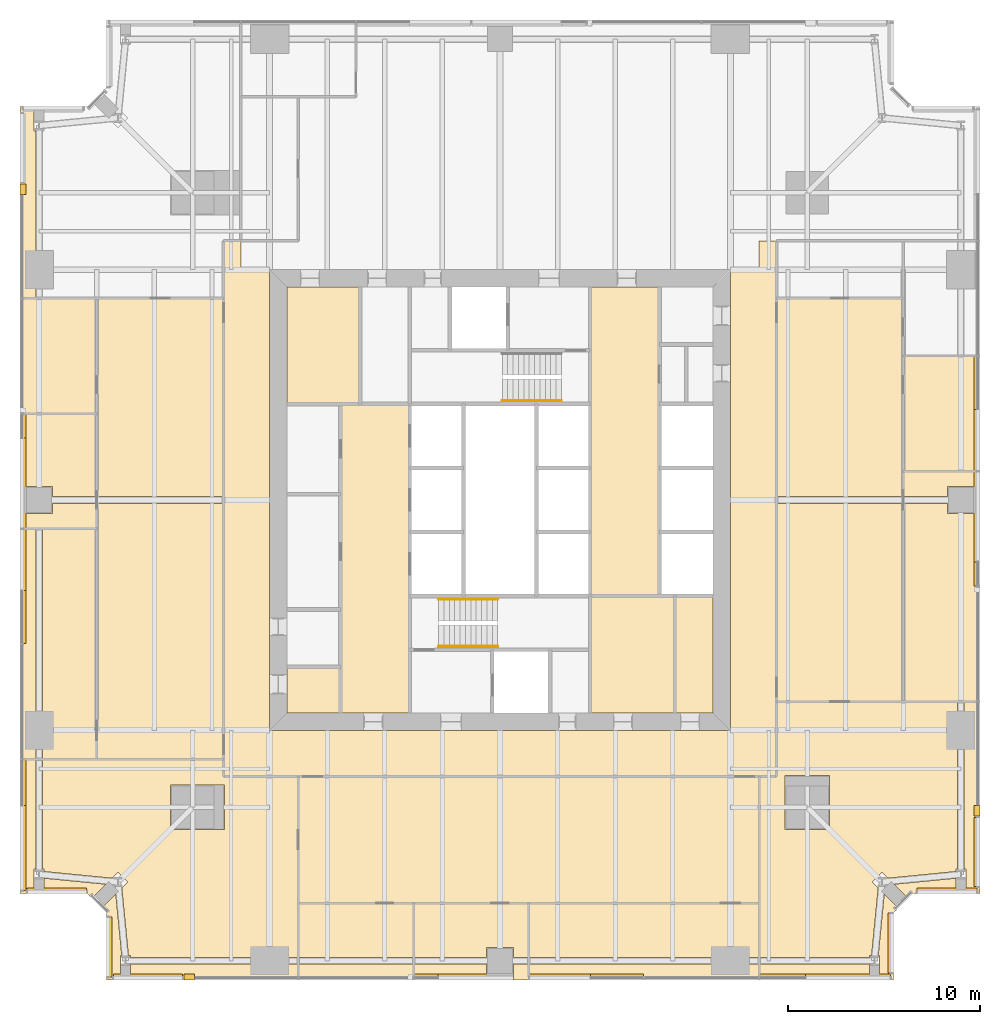
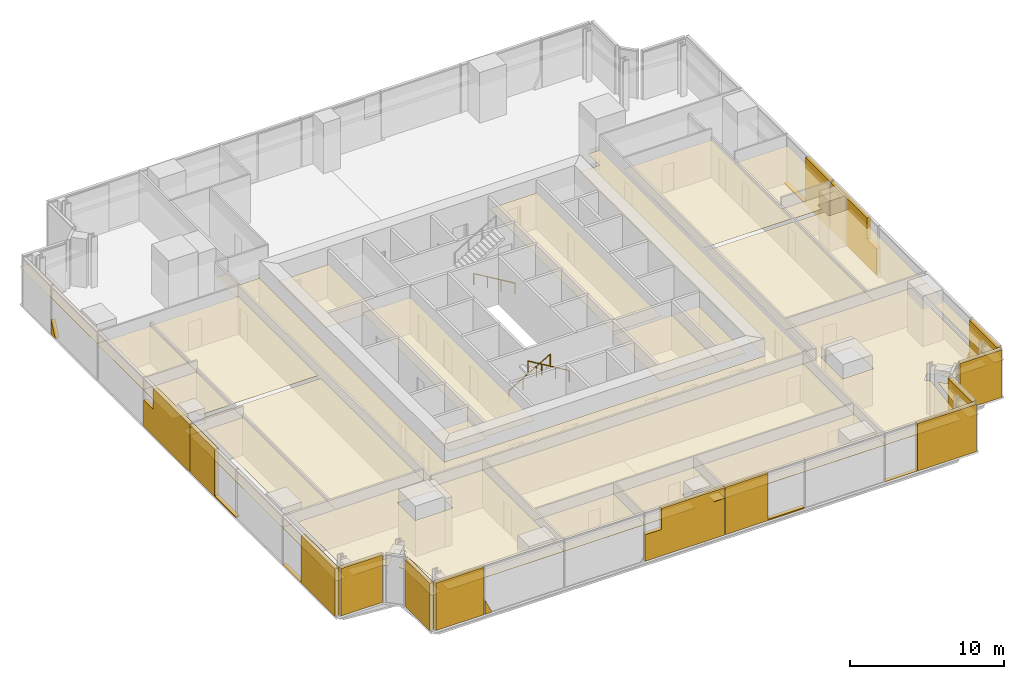
# One storey, part 12 of 13: 55 coverings, 3 railings.
"""IFC4 building model written with IfcOpenShell, lengths in metres."""

from ifc_helpers import new_model, si_unit, direction, frame, origin, origin_2d, place, context, subcontext, project, spatial, polyline, circle, outline, extrude, material, layer, layer_set, type_object, element, save


model = new_model("IFC4")

# Units and contexts
model_context = context("Model", 3, precision=1e-05, world=origin(), true_north=direction((0.0, 1.0)))
body_context = subcontext(model_context, "Body", "Model", "MODEL_VIEW")
ifc_project = project(units=[si_unit("LENGTHUNIT", "METRE"), si_unit("AREAUNIT", "SQUARE_METRE"), si_unit("VOLUMEUNIT", "CUBIC_METRE"), si_unit("PLANEANGLEUNIT", "RADIAN"), si_unit("MASSUNIT", "GRAM", prefix="KILO")], contexts=[model_context])

# Site, building, storey
site_placement = place(None, origin())
site = spatial("IfcSite", under=ifc_project, at=site_placement, CompositionType="ELEMENT")
building_placement = place(site_placement, origin())
building = spatial("IfcBuilding", under=site, at=building_placement, Name="Fenwick Lantern Interchange", CompositionType="ELEMENT")
storey_placement = place(building_placement, frame((0.0, 0.0, 142.39990234375)))
storey = spatial("IfcBuildingStorey", under=building, at=storey_placement, Name="L33", CompositionType="ELEMENT", Elevation=142.39990234375)

# Coverings
ifc_material_1 = material(Name="Mineral fibre acoustic tile on suspended grid")
ifc_layer_1 = layer(ifc_material_1, 0.02001953125)
ifc_layer_set_1 = layer_set([ifc_layer_1], Name="ACOUSTIC TILE CEILING 20")
covering_type_1 = type_object("IfcCoveringType", Name="ACOUSTIC TILE CEILING 20", PredefinedType="CEILING", material=ifc_layer_set_1)
covering_1_placement = place(storey_placement, frame((0.0, 0.0, 2.900146484375)))
element("IfcCovering", 1, at=covering_1_placement, inside=storey, type_object=covering_type_1, Name="Office suite ceiling", PredefinedType="CEILING", context=body_context, shape_type="SweptSolid", body=[
    extrude(outline(polyline([(14.5, 10.60009765625), (14.5, 4.0), (38.5, 4.0), (38.5, 10.60009765625), (14.5, 10.60009765625)])), origin(), (0.0, 0.0, 1.0), 0.02001953125),
])
covering_2_placement = place(storey_placement, frame((0.0, 0.0, 2.900146484375)))
element("IfcCovering", 2, at=covering_2_placement, inside=storey, type_object=covering_type_1, Name="Office study ceiling", PredefinedType="CEILING", context=body_context, shape_type="SweptSolid", body=[
    extrude(outline(polyline([(10.60009765625, 10.60009765625), (10.60009765625, 11.5), (1.17236328125, 11.5), (1.17236328125, 5.78759765625), (1.26220703125, 5.78759765625), (1.26220703125, 5.647705078125), (4.78369140625, 5.303955078125), (5.10009765625, 5.620361328125), (5.620361328125, 5.10009765625), (5.303955078125, 4.78369140625), (5.645263671875, 1.28759765625), (5.76220703125, 1.28759765625), (5.76220703125, 1.17236328125), (13.0, 1.17236328125), (14.5, 1.17236328125), (14.5, 10.60009765625), (10.60009765625, 10.60009765625)]), holes=[polyline([(7.85009765625, 10.14990234375), (10.64990234375, 10.14990234375), (10.64990234375, 7.85009765625), (7.85009765625, 7.85009765625), (7.85009765625, 10.14990234375)])]), origin(), (0.0, 0.0, 1.0), 0.02001953125),
])
covering_3_placement = place(storey_placement, frame((0.0, 0.0, 2.900146484375)))
element("IfcCovering", 3, at=covering_3_placement, inside=storey, type_object=covering_type_1, Name="Office study ceiling", PredefinedType="CEILING", context=body_context, shape_type="SweptSolid", body=[
    extrude(outline(polyline([(14.5, 0.0), (14.5, 0.82763671875), (13.0, 0.82763671875), (5.76220703125, 0.82763671875), (5.76220703125, 0.0), (14.5, 0.0)])), origin(), (0.0, 0.0, 1.0), 0.02001953125),
])
covering_4_placement = place(storey_placement, frame((0.0, 0.0, 2.900146484375)))
element("IfcCovering", 4, at=covering_4_placement, inside=storey, type_object=covering_type_1, Name="Office study ceiling", PredefinedType="CEILING", context=body_context, shape_type="SweptSolid", body=[
    extrude(outline(polyline([(0.73779296875, 5.78759765625), (0.82763671875, 5.78759765625), (0.82763671875, 11.5), (0.0, 11.5), (0.0, 4.5), (0.73779296875, 4.5), (0.73779296875, 5.78759765625)])), origin(), (0.0, 0.0, 1.0), 0.02001953125),
])
covering_5_placement = place(storey_placement, frame((0.0, 0.0, 2.900146484375)))
element("IfcCovering", 5, at=covering_5_placement, inside=storey, type_object=covering_type_1, Name="Office study ceiling", PredefinedType="CEILING", context=body_context, shape_type="SweptSolid", body=[
    extrude(outline(polyline([(5.23779296875, 1.28759765625), (5.298828125, 1.28759765625), (4.988525390625, 4.468017578125), (4.26025390625, 3.73974609375), (4.5, 3.5), (4.5, 0.0), (5.23779296875, 0.0), (5.23779296875, 1.28759765625)])), origin(), (0.0, 0.0, 1.0), 0.02001953125),
])
covering_6_placement = place(storey_placement, frame((0.0, 0.0, 2.900146484375)))
element("IfcCovering", 6, at=covering_6_placement, inside=storey, type_object=covering_type_1, Name="Office study ceiling", PredefinedType="CEILING", context=body_context, shape_type="SweptSolid", body=[
    extrude(outline(polyline([(3.73974609375, 4.26025390625), (4.468017578125, 4.988525390625), (1.26220703125, 5.30126953125), (1.26220703125, 4.5), (3.5, 4.5), (3.73974609375, 4.26025390625)])), origin(), (0.0, 0.0, 1.0), 0.02001953125),
])
covering_7_placement = place(storey_placement, frame((0.0, 0.0, 2.900146484375)))
element("IfcCovering", 7, at=covering_7_placement, inside=storey, type_object=covering_type_1, Name="Office ceiling", PredefinedType="CEILING", context=body_context, shape_type="SweptSolid", body=[
    extrude(outline(polyline([(14.5, 4.0), (14.5, 1.17236328125), (20.5, 1.17236328125), (20.5, 4.0), (14.5, 4.0)])), origin(), (0.0, 0.0, 1.0), 0.02001953125),
])
covering_8_placement = place(storey_placement, frame((0.0, 0.0, 2.900146484375)))
element("IfcCovering", 8, at=covering_8_placement, inside=storey, type_object=covering_type_1, Name="Office ceiling", PredefinedType="CEILING", context=body_context, shape_type="SweptSolid", body=[
    extrude(outline(polyline([(20.5, 0.0), (20.5, 0.82763671875), (14.5, 0.82763671875), (14.5, 0.0), (20.5, 0.0)])), origin(), (0.0, 0.0, 1.0), 0.02001953125),
])
covering_9_placement = place(storey_placement, frame((0.0, 0.0, 2.900146484375)))
element("IfcCovering", 9, at=covering_9_placement, inside=storey, type_object=covering_type_1, Name="Office ceiling", PredefinedType="CEILING", context=body_context, shape_type="SweptSolid", body=[
    extrude(outline(polyline([(20.5, 4.0), (20.5, 1.17236328125), (24.300048828125, 1.17236328125), (24.300048828125, 1.699951171875), (25.699951171875, 1.699951171875), (25.699951171875, 1.17236328125), (26.5, 1.17236328125), (26.5, 4.0), (20.5, 4.0)])), origin(), (0.0, 0.0, 1.0), 0.02001953125),
])
covering_10_placement = place(storey_placement, frame((0.0, 0.0, 2.900146484375)))
element("IfcCovering", 10, at=covering_10_placement, inside=storey, type_object=covering_type_1, Name="Office ceiling", PredefinedType="CEILING", context=body_context, shape_type="SweptSolid", body=[
    extrude(outline(polyline([(20.5, 0.82763671875), (20.5, 0.0), (24.300048828125, 0.0), (24.300048828125, 0.82763671875), (20.5, 0.82763671875)])), origin(), (0.0, 0.0, 1.0), 0.02001953125),
])
covering_11_placement = place(storey_placement, frame((0.0, 0.0, 2.900146484375)))
element("IfcCovering", 11, at=covering_11_placement, inside=storey, type_object=covering_type_1, Name="Office ceiling", PredefinedType="CEILING", context=body_context, shape_type="SweptSolid", body=[
    extrude(outline(polyline([(26.5, 0.0), (26.5, 0.82763671875), (25.699951171875, 0.82763671875), (25.699951171875, 0.0), (26.5, 0.0)])), origin(), (0.0, 0.0, 1.0), 0.02001953125),
])
covering_12_placement = place(storey_placement, frame((0.0, 0.0, 2.900146484375)))
element("IfcCovering", 12, at=covering_12_placement, inside=storey, type_object=covering_type_1, Name="Meeting room ceiling", PredefinedType="CEILING", context=body_context, shape_type="SweptSolid", body=[
    extrude(outline(polyline([(26.5, 4.0), (26.5, 1.17236328125), (37.0, 1.17236328125), (38.5, 1.17236328125), (38.5, 4.0), (26.5, 4.0)])), origin(), (0.0, 0.0, 1.0), 0.02001953125),
])
covering_13_placement = place(storey_placement, frame((0.0, 0.0, 2.900146484375)))
element("IfcCovering", 13, at=covering_13_placement, inside=storey, type_object=covering_type_1, Name="Meeting room ceiling", PredefinedType="CEILING", context=body_context, shape_type="SweptSolid", body=[
    extrude(outline(polyline([(26.5, 0.82763671875), (26.5, 0.0), (38.5, 0.0), (38.5, 0.82763671875), (37.0, 0.82763671875), (26.5, 0.82763671875)])), origin(), (0.0, 0.0, 1.0), 0.02001953125),
])
covering_14_placement = place(storey_placement, frame((0.0, 0.0, 2.900146484375)))
element("IfcCovering", 14, at=covering_14_placement, inside=storey, type_object=covering_type_1, Name="Office suite ceiling", PredefinedType="CEILING", context=body_context, shape_type="SweptSolid", body=[
    extrude(outline(polyline([(39.39990234375, 24.824951171875), (39.39990234375, 14.5), (46.0, 14.5), (46.0, 24.824951171875), (39.39990234375, 24.824951171875)])), origin(), (0.0, 0.0, 1.0), 0.02001953125),
])
covering_15_placement = place(storey_placement, frame((0.0, 0.0, 2.900146484375)))
element("IfcCovering", 15, at=covering_15_placement, inside=storey, type_object=covering_type_1, Name="Office suite ceiling", PredefinedType="CEILING", context=body_context, shape_type="SweptSolid", body=[
    extrude(outline(polyline([(39.39990234375, 35.5), (39.39990234375, 25.175048828125), (46.0, 25.175048828125), (46.0, 35.5), (39.39990234375, 35.5)])), origin(), (0.0, 0.0, 1.0), 0.02001953125),
])
covering_16_placement = place(storey_placement, frame((0.0, 0.0, 2.900146484375)))
element("IfcCovering", 16, at=covering_16_placement, inside=storey, type_object=covering_type_1, Name="Office study ceiling", PredefinedType="CEILING", context=body_context, shape_type="SweptSolid", body=[
    extrude(outline(polyline([(44.23779296875, 1.28759765625), (44.354736328125, 1.28759765625), (44.696044921875, 4.78369140625), (44.379638671875, 5.10009765625), (44.89990234375, 5.620361328125), (45.21630859375, 5.303955078125), (48.73779296875, 5.647705078125), (48.73779296875, 5.78759765625), (48.82763671875, 5.78759765625), (48.82763671875, 13.0), (48.82763671875, 14.5), (39.39990234375, 14.5), (39.39990234375, 10.60009765625), (38.5, 10.60009765625), (38.5, 1.17236328125), (44.23779296875, 1.17236328125), (44.23779296875, 1.28759765625)]), holes=[polyline([(39.85009765625, 7.85009765625), (39.85009765625, 10.64990234375), (42.14990234375, 10.64990234375), (42.14990234375, 7.85009765625), (39.85009765625, 7.85009765625)])]), origin(), (0.0, 0.0, 1.0), 0.02001953125),
])
covering_17_placement = place(storey_placement, frame((0.0, 0.0, 2.900146484375)))
element("IfcCovering", 17, at=covering_17_placement, inside=storey, type_object=covering_type_1, Name="Office study ceiling", PredefinedType="CEILING", context=body_context, shape_type="SweptSolid", body=[
    extrude(outline(polyline([(50.0, 14.5), (49.17236328125, 14.5), (49.17236328125, 13.0), (49.17236328125, 5.78759765625), (49.26220703125, 5.78759765625), (49.26220703125, 4.5), (50.0, 4.5), (50.0, 14.5)])), origin(), (0.0, 0.0, 1.0), 0.02001953125),
])
covering_18_placement = place(storey_placement, frame((0.0, 0.0, 2.900146484375)))
element("IfcCovering", 18, at=covering_18_placement, inside=storey, type_object=covering_type_1, Name="Office study ceiling", PredefinedType="CEILING", context=body_context, shape_type="SweptSolid", body=[
    extrude(outline(polyline([(44.23779296875, 0.0), (44.23779296875, 0.82763671875), (38.5, 0.82763671875), (38.5, 0.0), (44.23779296875, 0.0)])), origin(), (0.0, 0.0, 1.0), 0.02001953125),
])
covering_19_placement = place(storey_placement, frame((0.0, 0.0, 2.900146484375)))
element("IfcCovering", 19, at=covering_19_placement, inside=storey, type_object=covering_type_1, Name="Office study ceiling", PredefinedType="CEILING", context=body_context, shape_type="SweptSolid", body=[
    extrude(outline(polyline([(44.701171875, 1.28759765625), (44.76220703125, 1.28759765625), (44.76220703125, 0.0), (45.5, 0.0), (45.5, 3.5), (45.73974609375, 3.73974609375), (45.011474609375, 4.468017578125), (44.701171875, 1.28759765625)])), origin(), (0.0, 0.0, 1.0), 0.02001953125),
])
covering_20_placement = place(storey_placement, frame((0.0, 0.0, 2.900146484375)))
element("IfcCovering", 20, at=covering_20_placement, inside=storey, type_object=covering_type_1, Name="Office study ceiling", PredefinedType="CEILING", context=body_context, shape_type="SweptSolid", body=[
    extrude(outline(polyline([(48.73779296875, 4.5), (48.73779296875, 5.30126953125), (45.531982421875, 4.988525390625), (46.26025390625, 4.26025390625), (46.5, 4.5), (48.73779296875, 4.5)])), origin(), (0.0, 0.0, 1.0), 0.02001953125),
])
covering_21_placement = place(storey_placement, frame((0.0, 0.0, 2.8681640625)))
element("IfcCovering", 21, at=covering_21_placement, inside=storey, type_object=covering_type_1, Name="Meeting room ceiling", PredefinedType="CEILING", context=body_context, shape_type="SweptSolid", body=[
    extrude(outline(polyline([(46.0, 24.824951171875), (46.0, 14.5), (50.0, 14.5), (50.0, 24.300048828125), (48.300048828125, 24.300048828125), (48.300048828125, 24.824951171875), (46.0, 24.824951171875)])), origin(), (0.0, 0.0, 1.0), 0.02001953125),
])
covering_22_placement = place(storey_placement, frame((0.0, 0.0, 2.8681640625)))
element("IfcCovering", 22, at=covering_22_placement, inside=storey, type_object=covering_type_1, Name="Meeting room ceiling", PredefinedType="CEILING", context=body_context, shape_type="SweptSolid", body=[
    extrude(outline(polyline([(46.0, 26.5), (46.0, 25.175048828125), (48.300048828125, 25.175048828125), (48.300048828125, 25.699951171875), (50.0, 25.699951171875), (50.0, 26.5), (46.0, 26.5)])), origin(), (0.0, 0.0, 1.0), 0.02001953125),
])
covering_23_placement = place(storey_placement, frame((0.0, 0.0, 2.8681640625)))
element("IfcCovering", 23, at=covering_23_placement, inside=storey, type_object=covering_type_1, Name="Office ceiling", PredefinedType="CEILING", context=body_context, shape_type="SweptSolid", body=[
    extrude(outline(polyline([(50.0, 26.5), (50.0, 32.5), (46.0, 32.5), (46.0, 26.5), (50.0, 26.5)])), origin(), (0.0, 0.0, 1.0), 0.02001953125),
])
covering_24_placement = place(storey_placement, frame((0.0, 0.0, 2.900146484375)))
element("IfcCovering", 24, at=covering_24_placement, inside=storey, type_object=covering_type_1, Name="Office suite ceiling", PredefinedType="CEILING", context=body_context, shape_type="SweptSolid", body=[
    extrude(outline(polyline([(10.60009765625, 11.5), (10.60009765625, 24.824951171875), (4.0, 24.824951171875), (4.0, 11.5), (10.60009765625, 11.5)])), origin(), (0.0, 0.0, 1.0), 0.02001953125),
])
covering_25_placement = place(storey_placement, frame((0.0, 0.0, 2.900146484375)))
element("IfcCovering", 25, at=covering_25_placement, inside=storey, type_object=covering_type_1, Name="Office suite ceiling", PredefinedType="CEILING", context=body_context, shape_type="SweptSolid", body=[
    extrude(outline(polyline([(10.60009765625, 25.175048828125), (10.60009765625, 35.5), (4.0, 35.5), (4.0, 25.175048828125), (10.60009765625, 25.175048828125)])), origin(), (0.0, 0.0, 1.0), 0.02001953125),
])
covering_26_placement = place(storey_placement, frame((0.0, 0.0, 2.900146484375)))
element("IfcCovering", 26, at=covering_26_placement, inside=storey, type_object=covering_type_1, Name="Office study ceiling", PredefinedType="CEILING", context=body_context, shape_type="SweptSolid", body=[
    extrude(outline(polyline([(0.0, 35.5), (0.82763671875, 35.5), (0.82763671875, 37.0), (0.82763671875, 44.21240234375), (0.73779296875, 44.21240234375), (0.73779296875, 45.5), (0.0, 45.5), (0.0, 35.5)])), origin(), (0.0, 0.0, 1.0), 0.02001953125),
])
covering_27_placement = place(storey_placement, frame((0.0, 0.0, 2.8681640625)))
element("IfcCovering", 27, at=covering_27_placement, inside=storey, type_object=covering_type_1, Name="Office ceiling", PredefinedType="CEILING", context=body_context, shape_type="SweptSolid", body=[
    extrude(outline(polyline([(0.0, 35.5), (0.0, 29.5), (4.0, 29.5), (4.0, 35.5), (0.0, 35.5)])), origin(), (0.0, 0.0, 1.0), 0.02001953125),
])
covering_28_placement = place(storey_placement, frame((0.0, 0.0, 2.8681640625)))
element("IfcCovering", 28, at=covering_28_placement, inside=storey, type_object=covering_type_1, Name="Office ceiling", PredefinedType="CEILING", context=body_context, shape_type="SweptSolid", body=[
    extrude(outline(polyline([(4.0, 29.5), (0.0, 29.5), (0.0, 25.699951171875), (1.699951171875, 25.699951171875), (1.699951171875, 25.175048828125), (4.0, 25.175048828125), (4.0, 29.5)])), origin(), (0.0, 0.0, 1.0), 0.02001953125),
])
covering_29_placement = place(storey_placement, frame((0.0, 0.0, 2.8681640625)))
element("IfcCovering", 29, at=covering_29_placement, inside=storey, type_object=covering_type_1, Name="Office ceiling", PredefinedType="CEILING", context=body_context, shape_type="SweptSolid", body=[
    extrude(outline(polyline([(4.0, 23.5), (4.0, 24.824951171875), (1.699951171875, 24.824951171875), (1.699951171875, 24.300048828125), (0.0, 24.300048828125), (0.0, 23.5), (4.0, 23.5)])), origin(), (0.0, 0.0, 1.0), 0.02001953125),
])
covering_30_placement = place(storey_placement, frame((0.0, 0.0, 2.900146484375)))
element("IfcCovering", 30, at=covering_30_placement, inside=storey, type_object=covering_type_1, Name="Meeting room ceiling", PredefinedType="CEILING", context=body_context, shape_type="SweptSolid", body=[
    extrude(outline(polyline([(4.0, 23.5), (1.17236328125, 23.5), (1.17236328125, 13.0), (1.17236328125, 11.5), (4.0, 11.5), (4.0, 23.5)])), origin(), (0.0, 0.0, 1.0), 0.02001953125),
])
covering_31_placement = place(storey_placement, frame((0.0, 0.0, 2.900146484375)))
element("IfcCovering", 31, at=covering_31_placement, inside=storey, type_object=covering_type_1, Name="Meeting room ceiling", PredefinedType="CEILING", context=body_context, shape_type="SweptSolid", body=[
    extrude(outline(polyline([(0.82763671875, 23.5), (0.0, 23.5), (0.0, 11.5), (0.82763671875, 11.5), (0.82763671875, 13.0), (0.82763671875, 23.5)])), origin(), (0.0, 0.0, 1.0), 0.02001953125),
])
ifc_material_2 = material(Name="Granite cladding, warm grey flamed finish, on aluminium carrier frame", Category="masonry")
ifc_layer_2 = layer(ifc_material_2, 0.300048828125)
ifc_layer_set_2 = layer_set([ifc_layer_2], Name="BRACE CASING PANEL 300")
covering_type_2 = type_object("IfcCoveringType", Name="BRACE CASING PANEL 300", PredefinedType="CLADDING", material=ifc_layer_set_2)
covering_32_placement = place(storey_placement, frame((4.60009765625, 0.10009765625, 0.0), z_axis=(0.0, 0.0, 1.0), x_axis=(1.0, 0.0, 0.0)))
element("IfcCovering", 32, at=covering_32_placement, inside=storey, type_object=covering_type_2, Name="Brace casing 01 bay 00a", PredefinedType="CLADDING", context=body_context, shape_type="SweptSolid", body=[
    extrude(outline(polyline([(0.264892578125, 0.0), (3.867431640625, 0.0), (3.867431640625, 3.75), (0.264892578125, 3.75), (0.264892578125, 0.0)])), frame((0.0, 0.2001953125, 0.0), z_axis=(0.0, -1.0, 0.0), x_axis=(1.0, 0.0, 0.0)), (0.0, 0.0, 1.0), 0.300048828125),
])
covering_33_placement = place(storey_placement, frame((4.60009765625, 0.10009765625, 0.0), z_axis=(0.0, 0.0, 1.0), x_axis=(1.0, 0.0, 0.0)))
element("IfcCovering", 33, at=covering_33_placement, inside=storey, type_object=covering_type_2, Name="Brace casing 01 bay 01a", PredefinedType="CLADDING", context=body_context, shape_type="SweptSolid", body=[
    extrude(outline(polyline([(3.9326171875, 0.0), (4.478759765625, 0.0), (3.9326171875, 1.165771484375), (3.9326171875, 0.0)])), frame((0.0, 0.2001953125, 0.0), z_axis=(0.0, -1.0, 0.0), x_axis=(1.0, 0.0, 0.0)), (0.0, 0.0, 1.0), 0.300048828125),
])
covering_34_placement = place(storey_placement, frame((4.60009765625, 0.10009765625, 0.0), z_axis=(0.0, 0.0, 1.0), x_axis=(1.0, 0.0, 0.0)))
element("IfcCovering", 34, at=covering_34_placement, inside=storey, type_object=covering_type_2, Name="Brace casing 01 bay 03a", PredefinedType="CLADDING", context=body_context, shape_type="SweptSolid", body=[
    extrude(outline(polyline([(15.9326171875, 0.0), (21.867431640625, 0.0), (21.867431640625, 3.75), (17.172607421875, 3.75), (17.172607421875, 2.0908203125), (15.9326171875, 2.0908203125), (15.9326171875, 0.0)])), frame((0.0, 0.2001953125, 0.0), z_axis=(0.0, -1.0, 0.0), x_axis=(1.0, 0.0, 0.0)), (0.0, 0.0, 1.0), 0.300048828125),
])
covering_35_placement = place(storey_placement, frame((4.60009765625, 0.10009765625, 0.0), z_axis=(0.0, 0.0, 1.0), x_axis=(1.0, 0.0, 0.0)))
element("IfcCovering", 35, at=covering_35_placement, inside=storey, type_object=covering_type_2, Name="Brace casing 01 bay 04a", PredefinedType="CLADDING", context=body_context, shape_type="SweptSolid", body=[
    extrude(outline(polyline([(21.9326171875, 0.0), (27.867431640625, 0.0), (27.867431640625, 0.093017578125), (25.1259765625, 0.093017578125), (25.1259765625, 3.75), (21.9326171875, 3.75), (21.9326171875, 0.0)])), frame((0.0, 0.2001953125, 0.0), z_axis=(0.0, -1.0, 0.0), x_axis=(1.0, 0.0, 0.0)), (0.0, 0.0, 1.0), 0.300048828125),
])
covering_36_placement = place(storey_placement, frame((4.60009765625, 0.10009765625, 0.0), z_axis=(0.0, 0.0, 1.0), x_axis=(1.0, 0.0, 0.0)))
element("IfcCovering", 36, at=covering_36_placement, inside=storey, type_object=covering_type_2, Name="Brace casing 01 bay 06a", PredefinedType="CLADDING", context=body_context, shape_type="SweptSolid", body=[
    extrude(outline(polyline([(33.9326171875, 0.0), (40.735107421875, 0.0), (40.735107421875, 3.75), (36.322509765625, 3.75), (36.322509765625, 0.0029296875), (33.9326171875, 0.0029296875), (33.9326171875, 0.0)])), frame((0.0, 0.2001953125, 0.0), z_axis=(0.0, -1.0, 0.0), x_axis=(1.0, 0.0, 0.0)), (0.0, 0.0, 1.0), 0.300048828125),
])
for number, where, z_axis, x_axis, name in (
    (37, (45.39990234375, 0.10009765625, 0.0), (0.0, 0.0, 1.0), (0.0, 1.0, 0.0), "Brace casing 02 bay 00a"),
    (38, (46.45849609375, 4.60009765625, 0.0), (0.0, 0.0, 1.0), (1.0, 0.0, 0.0), "Brace casing 04 bay 00a"),
):
    element("IfcCovering", number, at=place(storey_placement, frame(where, z_axis=z_axis, x_axis=x_axis)), inside=storey, type_object=covering_type_2, Name=name, PredefinedType="CLADDING", context=body_context, shape_type="SweptSolid", body=[
        extrude(outline(polyline([(0.264892578125, 0.0), (3.37646484375, 0.0), (3.37646484375, 3.75), (0.264892578125, 3.75), (0.264892578125, 0.0)])), frame((0.0, 0.2001953125, 0.0), z_axis=(0.0, -1.0, 0.0), x_axis=(1.0, 0.0, 0.0)), (0.0, 0.0, 1.0), 0.300048828125),
    ])
covering_37_placement = place(storey_placement, frame((49.89990234375, 4.60009765625, 0.0), z_axis=(0.0, 0.0, 1.0), x_axis=(0.0, 1.0, 0.0)))
element("IfcCovering", 39, at=covering_37_placement, inside=storey, type_object=covering_type_2, Name="Brace casing 05 bay 00a", PredefinedType="CLADDING", context=body_context, shape_type="SweptSolid", body=[
    extrude(outline(polyline([(0.264892578125, 0.0), (3.867431640625, 0.0), (3.867431640625, 3.75), (0.264892578125, 3.75), (0.264892578125, 0.0)])), frame((0.0, 0.2001953125, 0.0), z_axis=(0.0, -1.0, 0.0), x_axis=(1.0, 0.0, 0.0)), (0.0, 0.0, 1.0), 0.300048828125),
])
covering_38_placement = place(storey_placement, frame((49.89990234375, 4.60009765625, 0.0), z_axis=(0.0, 0.0, 1.0), x_axis=(0.0, 1.0, 0.0)))
element("IfcCovering", 40, at=covering_38_placement, inside=storey, type_object=covering_type_2, Name="Brace casing 05 bay 01a", PredefinedType="CLADDING", context=body_context, shape_type="SweptSolid", body=[
    extrude(outline(polyline([(3.9326171875, 0.0), (4.478759765625, 0.0), (3.9326171875, 1.165771484375), (3.9326171875, 0.0)])), frame((0.0, 0.2001953125, 0.0), z_axis=(0.0, -1.0, 0.0), x_axis=(1.0, 0.0, 0.0)), (0.0, 0.0, 1.0), 0.300048828125),
])
covering_39_placement = place(storey_placement, frame((49.89990234375, 4.60009765625, 0.0), z_axis=(0.0, 0.0, 1.0), x_axis=(0.0, 1.0, 0.0)))
element("IfcCovering", 41, at=covering_39_placement, inside=storey, type_object=covering_type_2, Name="Brace casing 05 bay 03a", PredefinedType="CLADDING", context=body_context, shape_type="SweptSolid", body=[
    extrude(outline(polyline([(15.9326171875, 0.0), (21.867431640625, 0.0), (21.867431640625, 3.75), (17.172607421875, 3.75), (17.172607421875, 2.0908203125), (15.9326171875, 2.0908203125), (15.9326171875, 0.0)])), frame((0.0, 0.2001953125, 0.0), z_axis=(0.0, -1.0, 0.0), x_axis=(1.0, 0.0, 0.0)), (0.0, 0.0, 1.0), 0.300048828125),
])
covering_40_placement = place(storey_placement, frame((49.89990234375, 4.60009765625, 0.0), z_axis=(0.0, 0.0, 1.0), x_axis=(0.0, 1.0, 0.0)))
element("IfcCovering", 42, at=covering_40_placement, inside=storey, type_object=covering_type_2, Name="Brace casing 05 bay 04a", PredefinedType="CLADDING", context=body_context, shape_type="SweptSolid", body=[
    extrude(outline(polyline([(21.9326171875, 0.0), (27.867431640625, 0.0), (27.867431640625, 0.093017578125), (25.1259765625, 0.093017578125), (25.1259765625, 3.75), (21.9326171875, 3.75), (21.9326171875, 0.0)])), frame((0.0, 0.2001953125, 0.0), z_axis=(0.0, -1.0, 0.0), x_axis=(1.0, 0.0, 0.0)), (0.0, 0.0, 1.0), 0.300048828125),
])
covering_41_placement = place(storey_placement, frame((0.10009765625, 45.39990234375, 0.0), z_axis=(0.0, 0.0, 1.0), x_axis=(0.0, -1.0, 0.0)))
element("IfcCovering", 43, at=covering_41_placement, inside=storey, type_object=covering_type_2, Name="Brace casing 13 bay 01a", PredefinedType="CLADDING", context=body_context, shape_type="SweptSolid", body=[
    extrude(outline(polyline([(3.9326171875, 0.0), (4.478759765625, 0.0), (3.9326171875, 1.165771484375), (3.9326171875, 0.0)])), frame((0.0, 0.2001953125, 0.0), z_axis=(0.0, -1.0, 0.0), x_axis=(1.0, 0.0, 0.0)), (0.0, 0.0, 1.0), 0.300048828125),
])
covering_42_placement = place(storey_placement, frame((0.10009765625, 45.39990234375, 0.0), z_axis=(0.0, 0.0, 1.0), x_axis=(0.0, -1.0, 0.0)))
element("IfcCovering", 44, at=covering_42_placement, inside=storey, type_object=covering_type_2, Name="Brace casing 13 bay 03a", PredefinedType="CLADDING", context=body_context, shape_type="SweptSolid", body=[
    extrude(outline(polyline([(15.9326171875, 0.0), (21.867431640625, 0.0), (21.867431640625, 3.75), (17.172607421875, 3.75), (17.172607421875, 2.0908203125), (15.9326171875, 2.0908203125), (15.9326171875, 0.0)])), frame((0.0, 0.2001953125, 0.0), z_axis=(0.0, -1.0, 0.0), x_axis=(1.0, 0.0, 0.0)), (0.0, 0.0, 1.0), 0.300048828125),
])
covering_43_placement = place(storey_placement, frame((0.10009765625, 45.39990234375, 0.0), z_axis=(0.0, 0.0, 1.0), x_axis=(0.0, -1.0, 0.0)))
element("IfcCovering", 45, at=covering_43_placement, inside=storey, type_object=covering_type_2, Name="Brace casing 13 bay 04a", PredefinedType="CLADDING", context=body_context, shape_type="SweptSolid", body=[
    extrude(outline(polyline([(21.9326171875, 0.0), (27.867431640625, 0.0), (27.867431640625, 0.093017578125), (25.1259765625, 0.093017578125), (25.1259765625, 3.75), (21.9326171875, 3.75), (21.9326171875, 0.0)])), frame((0.0, 0.2001953125, 0.0), z_axis=(0.0, -1.0, 0.0), x_axis=(1.0, 0.0, 0.0)), (0.0, 0.0, 1.0), 0.300048828125),
])
covering_44_placement = place(storey_placement, frame((0.10009765625, 45.39990234375, 0.0), z_axis=(0.0, 0.0, 1.0), x_axis=(0.0, -1.0, 0.0)))
element("IfcCovering", 46, at=covering_44_placement, inside=storey, type_object=covering_type_2, Name="Brace casing 13 bay 06a", PredefinedType="CLADDING", context=body_context, shape_type="SweptSolid", body=[
    extrude(outline(polyline([(33.9326171875, 0.0), (40.735107421875, 0.0), (40.735107421875, 3.75), (36.322509765625, 3.75), (36.322509765625, 0.0029296875), (33.9326171875, 0.0029296875), (33.9326171875, 0.0)])), frame((0.0, 0.2001953125, 0.0), z_axis=(0.0, -1.0, 0.0), x_axis=(1.0, 0.0, 0.0)), (0.0, 0.0, 1.0), 0.300048828125),
])
for number, where, z_axis, x_axis, name in (
    (47, (0.10009765625, 4.60009765625, 0.0), (0.0, 0.0, 1.0), (1.0, 0.0, 0.0), "Brace casing 14 bay 00a"),
    (48, (4.60009765625, 3.54150390625, 0.0), (0.0, 0.0, 1.0), (0.0, -1.0, 0.0), "Brace casing 16 bay 00a"),
):
    element("IfcCovering", number, at=place(storey_placement, frame(where, z_axis=z_axis, x_axis=x_axis)), inside=storey, type_object=covering_type_2, Name=name, PredefinedType="CLADDING", context=body_context, shape_type="SweptSolid", body=[
        extrude(outline(polyline([(0.264892578125, 0.0), (3.37646484375, 0.0), (3.37646484375, 3.75), (0.264892578125, 3.75), (0.264892578125, 0.0)])), frame((0.0, 0.2001953125, 0.0), z_axis=(0.0, -1.0, 0.0), x_axis=(1.0, 0.0, 0.0)), (0.0, 0.0, 1.0), 0.300048828125),
    ])

# Railings
ifc_material_3 = material(Name="Stainless steel handrail", Category="steel")
railing_type = type_object("IfcRailingType", Name="HANDRAIL 900", PredefinedType="HANDRAIL", material=ifc_material_3)
railing_placement = place(storey_placement, frame((21.800048828125, 19.825927734375, 0.166748046875)))
element("IfcRailing", 49, at=railing_placement, inside=storey, type_object=railing_type, Name="L33/STAIR/ST1/HR1", PredefinedType="HANDRAIL", context=body_context, shape_type="SweptSolid", body=[
    extrude(circle(Radius=0.02392578125, at=origin_2d()), frame((0.0, 0.0, 0.8759765625), z_axis=(0.859290745958, 0.0, 0.51148745235), x_axis=(0.0, 1.0, 0.0)), (0.0, 0.0, 1.0), 3.584228515625),
    extrude(circle(Radius=0.02099609375, at=origin_2d()), origin(), (0.0, 0.0, 1.0), 0.851806640625),
    extrude(circle(Radius=0.02099609375, at=origin_2d()), frame((1.026611328125, 0.0, 0.611083984375)), (0.0, 0.0, 1.0), 0.851806640625),
    extrude(circle(Radius=0.02099609375, at=origin_2d()), frame((2.05322265625, 0.0, 1.22216796875)), (0.0, 0.0, 1.0), 0.851806640625),
    extrude(circle(Radius=0.02099609375, at=origin_2d()), frame((3.079833984375, 0.0, 1.833251953125)), (0.0, 0.0, 1.0), 0.851806640625),
])
for number, where, name in (
    (50, (24.8798828125, 17.3740234375, 2.166748046875), "L33/STAIR/ST1/HR2"),
    (51, (28.199951171875, 30.174072265625, 0.166748046875), "L33/STAIR/ST2/HR1"),
):
    element("IfcRailing", number, at=place(storey_placement, frame(where)), inside=storey, type_object=railing_type, Name=name, PredefinedType="HANDRAIL", context=body_context, shape_type="SweptSolid", body=[
        extrude(circle(Radius=0.02392578125, at=origin_2d()), frame((0.0, 0.0, 0.8759765625), z_axis=(-0.859290745958, 0.0, 0.51148745235), x_axis=(0.0, -1.0, 0.0)), (0.0, 0.0, 1.0), 3.584228515625),
        extrude(circle(Radius=0.02099609375, at=origin_2d()), origin(), (0.0, 0.0, 1.0), 0.851806640625),
        extrude(circle(Radius=0.02099609375, at=origin_2d()), frame((-1.026611328125, 0.0, 0.611083984375)), (0.0, 0.0, 1.0), 0.851806640625),
        extrude(circle(Radius=0.02099609375, at=origin_2d()), frame((-2.05322265625, 0.0, 1.22216796875)), (0.0, 0.0, 1.0), 0.851806640625),
        extrude(circle(Radius=0.02099609375, at=origin_2d()), frame((-3.079833984375, 0.0, 1.833251953125)), (0.0, 0.0, 1.0), 0.851806640625),
    ])

# Coverings
ifc_material_4 = material(Name="Moisture resistant gypsum board on suspended frame, painted")
ifc_layer_3 = layer(ifc_material_4, 0.014892578125)
ifc_layer_set_3 = layer_set([ifc_layer_3], Name="MOISTURE RESISTANT CEILING 15")
covering_type_3 = type_object("IfcCoveringType", Name="MOISTURE RESISTANT CEILING 15", PredefinedType="CEILING", material=ifc_layer_set_3)
covering_45_placement = place(storey_placement, frame((0.0, 0.0, 2.60009765625)))
element("IfcCovering", 52, at=covering_45_placement, inside=storey, type_object=covering_type_3, Name="Women's WC ceiling", PredefinedType="CEILING", context=body_context, shape_type="SweptSolid", body=[
    extrude(outline(polyline([(29.699951171875, 13.89990234375), (34.10009765625, 13.89990234375), (34.10009765625, 20.0), (29.699951171875, 20.0), (29.699951171875, 13.89990234375)])), origin(), (0.0, 0.0, 1.0), 0.014892578125),
])
covering_46_placement = place(storey_placement, frame((0.0, 0.0, 2.60009765625)))
element("IfcCovering", 53, at=covering_46_placement, inside=storey, type_object=covering_type_3, Name="Men's WC ceiling", PredefinedType="CEILING", context=body_context, shape_type="SweptSolid", body=[
    extrude(outline(polyline([(34.10009765625, 13.89990234375), (36.10009765625, 13.89990234375), (36.10009765625, 20.0), (34.10009765625, 20.0), (34.10009765625, 13.89990234375)])), origin(), (0.0, 0.0, 1.0), 0.014892578125),
])
covering_47_placement = place(storey_placement, frame((0.0, 0.0, 2.60009765625)))
element("IfcCovering", 54, at=covering_47_placement, inside=storey, type_object=covering_type_3, Name="Accessible WC ceiling", PredefinedType="CEILING", context=body_context, shape_type="SweptSolid", body=[
    extrude(outline(polyline([(13.89990234375, 13.89990234375), (16.699951171875, 13.89990234375), (16.699951171875, 16.300048828125), (13.89990234375, 16.300048828125), (13.89990234375, 13.89990234375)])), origin(), (0.0, 0.0, 1.0), 0.014892578125),
])
covering_48_placement = place(storey_placement, frame((0.0, 0.0, 2.60009765625)))
element("IfcCovering", 55, at=covering_48_placement, inside=storey, type_object=covering_type_3, Name="Women's WC ceiling", PredefinedType="CEILING", context=body_context, shape_type="SweptSolid", body=[
    extrude(outline(polyline([(17.699951171875, 36.10009765625), (13.89990234375, 36.10009765625), (13.89990234375, 30.0), (17.699951171875, 30.0), (17.699951171875, 36.10009765625)])), origin(), (0.0, 0.0, 1.0), 0.014892578125),
])
ifc_material_5 = material(Name="Gypsum plasterboard on suspended frame, painted")
ifc_layer_4 = layer(ifc_material_5, 0.014892578125)
ifc_layer_set_4 = layer_set([ifc_layer_4], Name="PLASTERBOARD CEILING 15")
covering_type_4 = type_object("IfcCoveringType", Name="PLASTERBOARD CEILING 15", PredefinedType="CEILING", material=ifc_layer_set_4)
covering_49_placement = place(storey_placement, frame((0.0, 0.0, 2.800048828125)))
element("IfcCovering", 56, at=covering_49_placement, inside=storey, type_object=covering_type_4, Name="Lift lobby ceiling", PredefinedType="CEILING", context=body_context, shape_type="SweptSolid", body=[
    extrude(outline(polyline([(16.699951171875, 13.89990234375), (20.300048828125, 13.89990234375), (20.300048828125, 30.0), (16.699951171875, 30.0), (16.699951171875, 13.89990234375)])), origin(), (0.0, 0.0, 1.0), 0.01513671875),
])
covering_50_placement = place(storey_placement, frame((0.0, 0.0, 2.800048828125)))
element("IfcCovering", 57, at=covering_50_placement, inside=storey, type_object=covering_type_4, Name="Lift lobby ceiling", PredefinedType="CEILING", context=body_context, shape_type="SweptSolid", body=[
    extrude(outline(polyline([(33.300048828125, 36.10009765625), (29.699951171875, 36.10009765625), (29.699951171875, 20.0), (33.300048828125, 20.0), (33.300048828125, 36.10009765625)])), origin(), (0.0, 0.0, 1.0), 0.01513671875),
])
covering_51_placement = place(storey_placement, frame((0.0, 0.0, 2.60009765625)))
element("IfcCovering", 58, at=covering_51_placement, inside=storey, type_object=covering_type_4, Name="Corridor ceiling", PredefinedType="CEILING", context=body_context, shape_type="SweptSolid", body=[
    extrude(outline(polyline([(10.60009765625, 38.5), (10.60009765625, 10.60009765625), (39.39990234375, 10.60009765625), (39.39990234375, 38.5), (38.5, 38.5), (38.5, 37.0), (37.0, 37.0), (37.0, 13.0), (13.0, 13.0), (13.0, 37.0), (11.5, 37.0), (11.5, 38.5), (10.60009765625, 38.5)])), origin(), (0.0, 0.0, 1.0), 0.014892578125),
])

save(model, "model.ifc")
